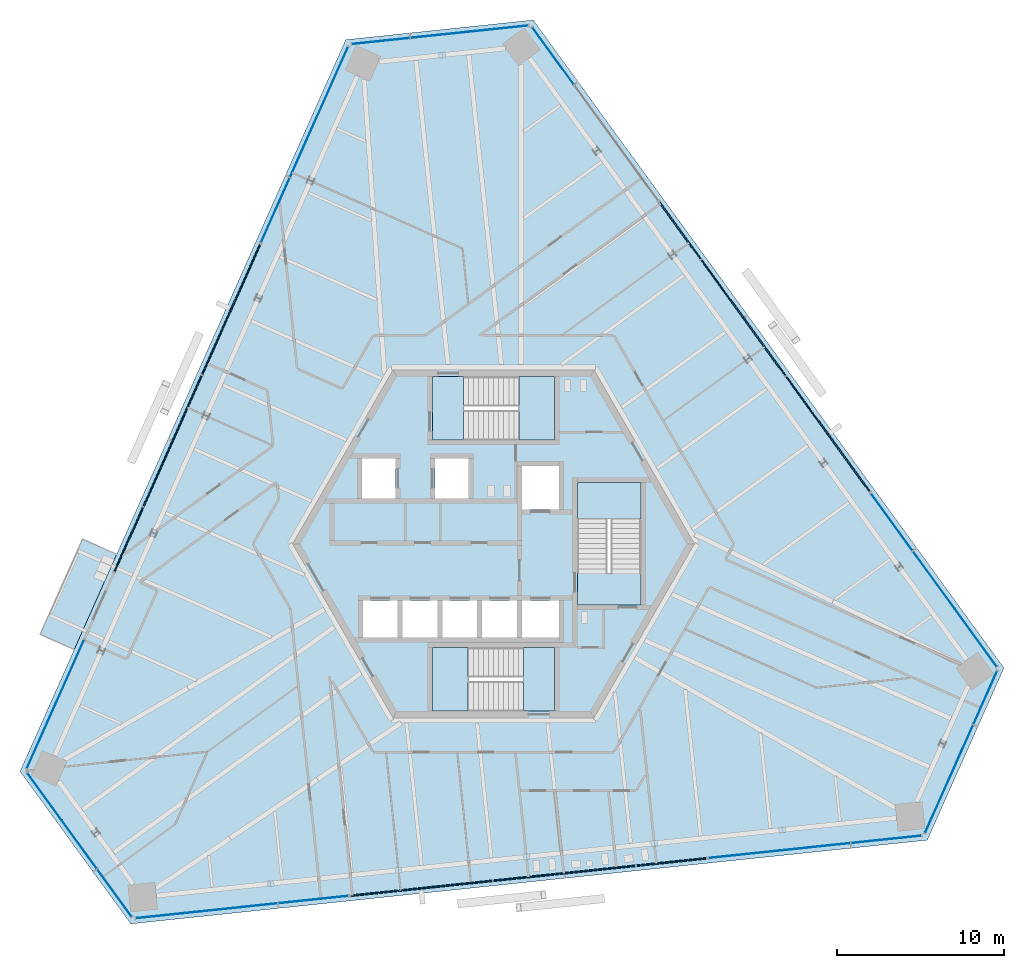
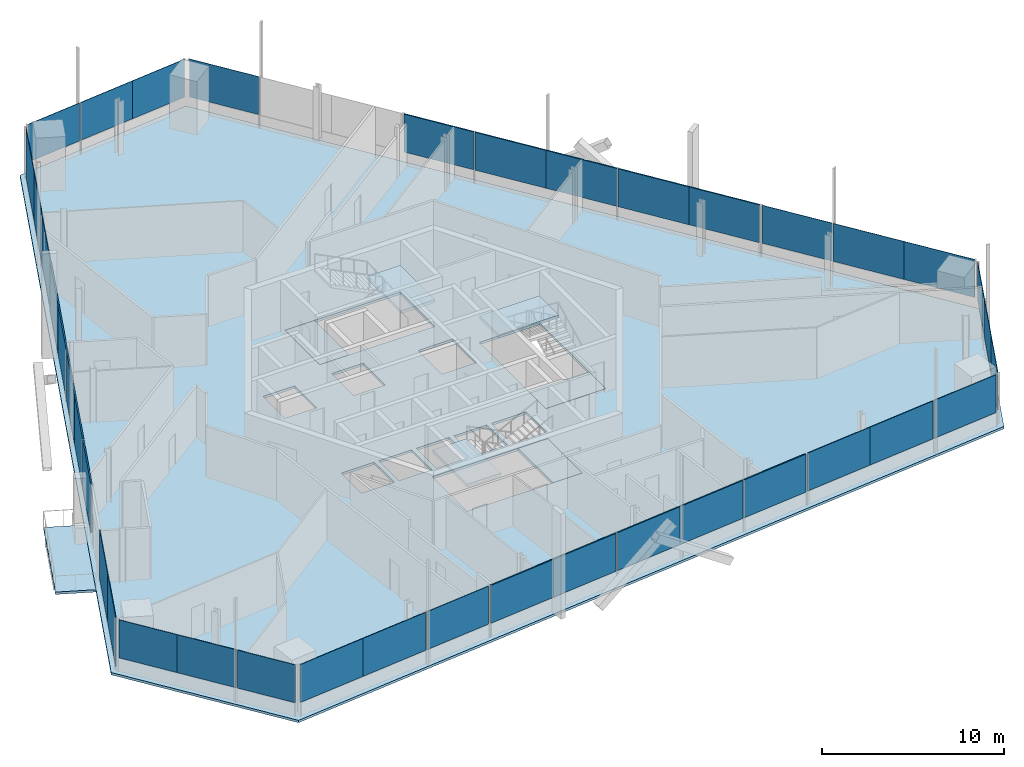
# One storey, part 9 of 20: 39 plates, 8 slabs, 15 elements without a shape of their own.
"""IFC4 building model written with IfcOpenShell, lengths in metres."""

from ifc_helpers import new_model, si_unit, direction, frame, origin, origin_2d, place, context, subcontext, project, spatial, polyline, rectangle, outline, extrude, source, transform, mapped, material, layer, layer_set, type_object, element, aggregate, save


model = new_model("IFC4")

# Units and contexts
model_context = context("Model", 3, precision=1e-05, world=origin(), true_north=direction((0.0, 1.0)))
body_context = subcontext(model_context, "Body", "Model", "MODEL_VIEW")
ifc_project = project(units=[si_unit("LENGTHUNIT", "METRE"), si_unit("AREAUNIT", "SQUARE_METRE"), si_unit("VOLUMEUNIT", "CUBIC_METRE"), si_unit("PLANEANGLEUNIT", "RADIAN"), si_unit("MASSUNIT", "GRAM", prefix="KILO")], contexts=[model_context])

# Site, building, storey
site_placement = place(None, origin())
site = spatial("IfcSite", under=ifc_project, at=site_placement, CompositionType="ELEMENT")
building_placement = place(site_placement, origin())
building = spatial("IfcBuilding", under=site, at=building_placement, Name="Triune Harvest Tower", CompositionType="ELEMENT")
storey_placement = place(building_placement, frame((0.0, 0.0, 234.10009765625)))
storey = spatial("IfcBuildingStorey", under=building, at=storey_placement, Name="L61", CompositionType="ELEMENT", Elevation=234.10009765625)

# Slab
ifc_material_1 = material(Name="Concrete 40 MPa", Category="concrete")
ifc_layer_1 = layer(ifc_material_1, 0.159912109375)
ifc_layer_set_1 = layer_set([ifc_layer_1], Name="Concrete 40 MPa")
slab_type_1 = type_object("IfcSlabType", Name="BA-1 balcony slab 160", PredefinedType="FLOOR", material=ifc_layer_set_1)
slab_1_placement = place(storey_placement, frame((0.0, 0.0, -0.16015625)))
element("IfcSlab", 1, at=slab_1_placement, inside=storey, type_object=slab_type_1, Name="Balcony slab B6-F3 L61.9", PredefinedType="FLOOR", context=body_context, shape_type="SweptSolid", body=[
    extrude(outline(polyline([(-22.50244140625, -0.623291015625), (-25.035400390625, -6.31201171875), (-27.07666015625, -5.4033203125), (-24.543701171875, 0.28564453125), (-22.50244140625, -0.623291015625)])), origin(), (0.0, 0.0, 1.0), 0.16015625),
])

# Curtain wall, plates
ifc_material_2 = material(Name="Aluminium bronze anodised", Category="aluminium")
curtain_wall_type_1 = type_object("IfcCurtainWallType", Name="CW-6 Balcony window wall", PredefinedType="NOTDEFINED", material=ifc_material_2)
curtain_wall_1_placement = place(storey_placement, origin())
curtain_wall_1 = element("IfcCurtainWall", 2, at=curtain_wall_1_placement, inside=storey, type_object=curtain_wall_type_1, Name="CW-6 B6-F3 L61 run 1")
ifc_material_3 = material(Name="Glass", Category="glass")
ifc_layer_2 = layer(ifc_material_3, 0.030029296875)
ifc_layer_set_2 = layer_set([ifc_layer_2], Name="Glass")
plate_type_1 = type_object("IfcPlateType", Name="GL-6 panel 30", PredefinedType="CURTAIN_PANEL", material=ifc_layer_set_2)
plate_1_placement = place(storey_placement, frame((-9.54541015625, 27.740966796875, 0.14990234375), z_axis=(0.0, 0.0, 1.0), x_axis=(-0.406739089053, -0.913544368619, 0.0)))
plate_1 = element("IfcPlate", 3, at=plate_1_placement, type_object=plate_type_1, Name="CW-6 panel B6-F3 1.1", PredefinedType="CURTAIN_PANEL", context=body_context, shape_type="SweptSolid", body=[
    extrude(rectangle(XDim=4.230224609375, YDim=0.030029296875, at=origin_2d()), origin(), (0.0, 0.0, 1.0), 3.2900390625),
])
plate_2_placement = place(storey_placement, frame((-11.273681640625, 23.859375, 0.14990234375), z_axis=(0.0, 0.0, 1.0), x_axis=(-0.406739089053, -0.913544368619, 0.0)))
plate_2 = element("IfcPlate", 4, at=plate_2_placement, type_object=plate_type_1, Name="CW-6 panel B6-F3 1.2", PredefinedType="CURTAIN_PANEL", context=body_context, shape_type="SweptSolid", body=[
    extrude(rectangle(XDim=4.267578125, YDim=0.030029296875, at=origin_2d()), origin(), (0.0, 0.0, 1.0), 3.2900390625),
])
plate_3_placement = place(storey_placement, frame((-13.024658203125, 19.926513671875, 0.14990234375), z_axis=(0.0, 0.0, 1.0), x_axis=(-0.406739089053, -0.913544368619, 0.0)))
plate_3 = element("IfcPlate", 5, at=plate_3_placement, type_object=plate_type_1, Name="CW-6 panel B6-F3 1.3", PredefinedType="CURTAIN_PANEL", context=body_context, shape_type="SweptSolid", body=[
    extrude(rectangle(XDim=4.192626953125, YDim=0.030029296875, at=origin_2d()), origin(), (0.0, 0.0, 1.0), 3.2900390625),
])
aggregate(curtain_wall_1, [plate_1, plate_2, plate_3])

# Curtain wall, plate
ifc_material_4 = material(Name="Aluminium bronze anodised", Category="aluminium")
curtain_wall_type_2 = type_object("IfcCurtainWallType", Name="CW-10 Balcony window wall with insulated spandrel infill", PredefinedType="NOTDEFINED", material=ifc_material_4)
curtain_wall_2_placement = place(storey_placement, origin())
curtain_wall_2 = element("IfcCurtainWall", 6, at=curtain_wall_2_placement, inside=storey, type_object=curtain_wall_type_2, Name="CW-10 B6-F3 L61 run 1001")
ifc_material_5 = material(Name="Insulated spandrel panel, bronze aluminium pan", Category="aluminium")
ifc_layer_3 = layer(ifc_material_5, 0.080078125)
ifc_layer_set_3 = layer_set([ifc_layer_3], Name="Insulated spandrel panel, bronze aluminium pan")
plate_type_2 = type_object("IfcPlateType", Name="SP-1 insulated spandrel panel 80", PredefinedType="CURTAIN_PANEL", material=ifc_layer_set_3)
plate_4_placement = place(storey_placement, frame((-21.780029296875, 0.26171875, 0.14990234375), z_axis=(0.0, 0.0, 1.0), x_axis=(-0.406737206167, -0.913545206938, 0.0)))
plate_4 = element("IfcPlate", 7, at=plate_4_placement, type_object=plate_type_2, Name="CW-10 panel B6-F3 1001.5", PredefinedType="CURTAIN_PANEL", context=body_context, shape_type="SweptSolid", body=[
    extrude(rectangle(XDim=4.192626953125, YDim=0.080078125, at=origin_2d()), origin(), (0.0, 0.0, 1.0), 3.2900390625),
])

# Slab
ifc_material_6 = material(Name="Concrete 40 MPa", Category="concrete")
ifc_layer_4 = layer(ifc_material_6, 0.159912109375)
ifc_layer_set_4 = layer_set([ifc_layer_4], Name="Concrete 40 MPa")
slab_type_2 = type_object("IfcSlabType", Name="SL-1 Composite floor slab 160", PredefinedType="FLOOR", material=ifc_layer_set_4)
shared_shape_1 = source(origin(), body_context, "Body", "SweptSolid", [
    extrude(outline(polyline([(30.481689453125, -7.412109375), (2.3701171875, 31.280517578125), (-8.82177734375, 30.10400390625), (-28.274658203125, -13.587646484375), (-21.659912109375, -22.69189453125), (25.904541015625, -17.692626953125), (30.481689453125, -7.412109375)]), holes=[polyline([(-5.72509765625, -5.590087890625), (-5.72509765625, -3.389892578125), (-7.800048828125, -3.389892578125), (-7.800048828125, -5.590087890625), (-5.72509765625, -5.590087890625)]), polyline([(-3.35009765625, -5.590087890625), (-3.35009765625, -3.389892578125), (-5.425048828125, -3.389892578125), (-5.425048828125, -5.590087890625), (-3.35009765625, -5.590087890625)]), polyline([(-0.97509765625, -5.590087890625), (-0.97509765625, -3.389892578125), (-3.050048828125, -3.389892578125), (-3.050048828125, -5.590087890625), (-0.97509765625, -5.590087890625)]), polyline([(1.39990234375, -5.590087890625), (1.39990234375, -3.389892578125), (-0.675048828125, -3.389892578125), (-0.675048828125, -5.590087890625), (1.39990234375, -5.590087890625)]), polyline([(3.89990234375, 2.06005859375), (3.89990234375, 4.659912109375), (1.699951171875, 4.659912109375), (1.699951171875, 2.06005859375), (3.89990234375, 2.06005859375)]), polyline([(3.89990234375, -5.590087890625), (3.89990234375, -3.389892578125), (1.699951171875, -3.389892578125), (1.699951171875, -5.590087890625), (3.89990234375, -5.590087890625)]), polyline([(-5.85009765625, 2.7099609375), (-5.85009765625, 5.110107421875), (-7.85009765625, 5.110107421875), (-7.85009765625, 2.7099609375), (-5.85009765625, 2.7099609375)]), polyline([(-1.5, 2.7099609375), (-1.5, 5.110107421875), (-3.5, 5.110107421875), (-3.5, 2.7099609375), (-1.5, 2.7099609375)]), polyline([(3.64990234375, 6.18994140625), (3.64990234375, 9.989990234375), (-3.64990234375, 9.989990234375), (-3.64990234375, 6.18994140625), (3.64990234375, 6.18994140625)]), polyline([(3.64990234375, -9.989990234375), (3.64990234375, -6.18994140625), (-3.64990234375, -6.18994140625), (-3.64990234375, -9.989990234375), (3.64990234375, -9.989990234375)]), polyline([(8.800048828125, -3.64990234375), (8.800048828125, 3.64990234375), (5.0, 3.64990234375), (5.0, -3.64990234375), (8.800048828125, -3.64990234375)])]), origin(), (0.0, 0.0, 1.0), 0.16015625),
])
slab_2_placement = place(storey_placement, frame((0.0, 0.0, -0.16015625)))
element("IfcSlab", 8, at=slab_2_placement, inside=storey, type_object=slab_type_2, Name="slab/L61/1", PredefinedType="FLOOR", context=body_context, shape_type="MappedRepresentation", body=[
    mapped(shared_shape_1, transform((0.0, 0.0, 0.0), scale=1.0)),
])

# Stair, slabs
ifc_material_7 = material(Name="Concrete 40 MPa", Category="concrete")
stair_type = type_object("IfcStairType", Name="Exit stair 1800 half turn", PredefinedType="HALF_TURN_STAIR", material=ifc_material_7)
stair_1_placement = place(storey_placement, origin())
stair_1 = element("IfcStair", 9, at=stair_1_placement, inside=storey, type_object=stair_type, Name="Exit stair north", PredefinedType="HALF_TURN_STAIR")
ifc_material_8 = material(Name="Concrete 40 MPa", Category="concrete")
ifc_layer_5 = layer(ifc_material_8, 0.199951171875)
ifc_layer_set_5 = layer_set([ifc_layer_5], Name="Concrete 40 MPa")
slab_type_3 = type_object("IfcSlabType", Name="Stair landing 200", PredefinedType="LANDING", material=ifc_layer_set_5)
shared_shape_2 = source(origin(), body_context, "Body", "SweptSolid", [
    extrude(outline(polyline([(1.510009765625, 6.18994140625), (3.64990234375, 6.18994140625), (3.64990234375, 9.989990234375), (1.510009765625, 9.989990234375), (1.510009765625, 6.18994140625)])), origin(), (0.0, 0.0, 1.0), 0.199951171875),
])
slab_3_placement = place(storey_placement, frame((0.0, 0.0, 1.599853515625)))
slab_3 = element("IfcSlab", 10, at=slab_3_placement, type_object=slab_type_3, Name="ST-1 landing 2", PredefinedType="LANDING", context=body_context, shape_type="MappedRepresentation", body=[
    mapped(shared_shape_2, transform((0.0, 0.0, 0.0), scale=1.0)),
])
shared_shape_3 = source(origin(), body_context, "Body", "SweptSolid", [
    extrude(outline(polyline([(-3.64990234375, 6.18994140625), (-1.780029296875, 6.18994140625), (-1.780029296875, 9.989990234375), (-3.64990234375, 9.989990234375), (-3.64990234375, 6.18994140625)])), origin(), (0.0, 0.0, 1.0), 0.2001953125),
])
slab_4_placement = place(storey_placement, frame((0.0, 0.0, -0.2001953125)))
slab_4 = element("IfcSlab", 11, at=slab_4_placement, type_object=slab_type_3, Name="ST-1 landing 1", PredefinedType="LANDING", context=body_context, shape_type="MappedRepresentation", body=[
    mapped(shared_shape_3, transform((0.0, 0.0, 0.0), scale=1.0)),
])
aggregate(stair_1, [slab_4, slab_3])

stair_2_placement = place(storey_placement, origin())
stair_2 = element("IfcStair", 12, at=stair_2_placement, inside=storey, type_object=stair_type, Name="Exit stair south", PredefinedType="HALF_TURN_STAIR")
shared_shape_4 = source(origin(), body_context, "Body", "SweptSolid", [
    extrude(outline(polyline([(-1.510009765625, -6.18994140625), (-3.64990234375, -6.18994140625), (-3.64990234375, -9.989990234375), (-1.510009765625, -9.989990234375), (-1.510009765625, -6.18994140625)])), origin(), (0.0, 0.0, 1.0), 0.199951171875),
])
slab_5_placement = place(storey_placement, frame((0.0, 0.0, 1.599853515625)))
slab_5 = element("IfcSlab", 13, at=slab_5_placement, type_object=slab_type_3, Name="ST-2 landing 2", PredefinedType="LANDING", context=body_context, shape_type="MappedRepresentation", body=[
    mapped(shared_shape_4, transform((0.0, 0.0, 0.0), scale=1.0)),
])
shared_shape_5 = source(origin(), body_context, "Body", "SweptSolid", [
    extrude(outline(polyline([(3.64990234375, -6.18994140625), (1.780029296875, -6.18994140625), (1.780029296875, -9.989990234375), (3.64990234375, -9.989990234375), (3.64990234375, -6.18994140625)])), origin(), (0.0, 0.0, 1.0), 0.2001953125),
])
slab_6_placement = place(storey_placement, frame((0.0, 0.0, -0.2001953125)))
slab_6 = element("IfcSlab", 14, at=slab_6_placement, type_object=slab_type_3, Name="ST-2 landing 1", PredefinedType="LANDING", context=body_context, shape_type="MappedRepresentation", body=[
    mapped(shared_shape_5, transform((0.0, 0.0, 0.0), scale=1.0)),
])
aggregate(stair_2, [slab_6, slab_5])

stair_3_placement = place(storey_placement, origin())
stair_3 = element("IfcStair", 15, at=stair_3_placement, inside=storey, type_object=stair_type, Name="Exit stair east", PredefinedType="HALF_TURN_STAIR")
shared_shape_6 = source(origin(), body_context, "Body", "SweptSolid", [
    extrude(outline(polyline([(8.800048828125, 1.510009765625), (8.800048828125, 3.64990234375), (5.0, 3.64990234375), (5.0, 1.510009765625), (8.800048828125, 1.510009765625)])), origin(), (0.0, 0.0, 1.0), 0.199951171875),
])
slab_7_placement = place(storey_placement, frame((0.0, 0.0, 1.599853515625)))
slab_7 = element("IfcSlab", 16, at=slab_7_placement, type_object=slab_type_3, Name="ST-3 landing 2", PredefinedType="LANDING", context=body_context, shape_type="MappedRepresentation", body=[
    mapped(shared_shape_6, transform((0.0, 0.0, 0.0), scale=1.0)),
])
shared_shape_7 = source(origin(), body_context, "Body", "SweptSolid", [
    extrude(outline(polyline([(8.800048828125, -3.64990234375), (8.800048828125, -1.780029296875), (5.0, -1.780029296875), (5.0, -3.64990234375), (8.800048828125, -3.64990234375)])), origin(), (0.0, 0.0, 1.0), 0.2001953125),
])
slab_8_placement = place(storey_placement, frame((0.0, 0.0, -0.2001953125)))
slab_8 = element("IfcSlab", 17, at=slab_8_placement, type_object=slab_type_3, Name="ST-3 landing 1", PredefinedType="LANDING", context=body_context, shape_type="MappedRepresentation", body=[
    mapped(shared_shape_7, transform((0.0, 0.0, 0.0), scale=1.0)),
])
aggregate(stair_3, [slab_8, slab_7])

# Curtain wall, plate
ifc_material_9 = material(Name="Aluminium bronze anodised", Category="aluminium")
curtain_wall_type_3 = type_object("IfcCurtainWallType", Name="CW-1 Tower stick curtain wall", PredefinedType="NOTDEFINED", material=ifc_material_9)
curtain_wall_3_placement = place(storey_placement, origin())
curtain_wall_3 = element("IfcCurtainWall", 18, at=curtain_wall_3_placement, inside=storey, type_object=curtain_wall_type_3, Name="CW-1 B6-F2 L61 run 1")
ifc_material_10 = material(Name="Glass", Category="glass")
ifc_layer_6 = layer(ifc_material_10, 0.031982421875)
ifc_layer_set_6 = layer_set([ifc_layer_6], Name="Glass")
plate_type_3 = type_object("IfcPlateType", Name="GL-1 panel 32", PredefinedType="CURTAIN_PANEL", material=ifc_layer_set_6)
shared_shape_8 = source(origin(), body_context, "Body", "SweptSolid", [
    extrude(rectangle(XDim=3.500732421875, YDim=0.031982421875, at=origin_2d()), origin(), (0.0, 0.0, 1.0), 2.5400390625),
])
plate_5_placement = place(storey_placement, frame((0.32421875, 30.763671875, 0.89990234375), z_axis=(0.0, 0.0, 1.0), x_axis=(-0.994521768229, -0.104529672907, 0.0)))
plate_5 = element("IfcPlate", 19, at=plate_5_placement, type_object=plate_type_3, Name="CW-1 panel B6-F2 1.1", PredefinedType="CURTAIN_PANEL", context=body_context, shape_type="MappedRepresentation", body=[
    mapped(shared_shape_8, transform((0.0, 0.0, 0.0), scale=1.0)),
])

curtain_wall_4_placement = place(storey_placement, origin())
curtain_wall_4 = element("IfcCurtainWall", 20, at=curtain_wall_4_placement, inside=storey, type_object=curtain_wall_type_3, Name="CW-1 B6-F4 L61 run 1")
plate_6_placement = place(storey_placement, frame((-26.80419921875, -15.10107421875, 0.89990234375), z_axis=(0.0, 0.0, 1.0), x_axis=(0.587788936013, -0.809014317982, 0.0)))
plate_6 = element("IfcPlate", 21, at=plate_6_placement, type_object=plate_type_3, Name="CW-1 panel B6-F4 1.1", PredefinedType="CURTAIN_PANEL", context=body_context, shape_type="MappedRepresentation", body=[
    mapped(shared_shape_8, transform((0.0, 0.0, 0.0), scale=1.0)),
])

curtain_wall_5_placement = place(storey_placement, origin())
curtain_wall_5 = element("IfcCurtainWall", 22, at=curtain_wall_5_placement, inside=storey, type_object=curtain_wall_type_3, Name="CW-1 B6-F6 L61 run 1")
plate_7_placement = place(storey_placement, frame((26.47998046875, -15.66259765625, 0.89990234375), z_axis=(0.0, 0.0, 1.0), x_axis=(0.406743216086, 0.913542531121, 0.0)))
plate_7 = element("IfcPlate", 23, at=plate_7_placement, type_object=plate_type_3, Name="CW-1 panel B6-F6 1.1", PredefinedType="CURTAIN_PANEL", context=body_context, shape_type="MappedRepresentation", body=[
    mapped(shared_shape_8, transform((0.0, 0.0, 0.0), scale=1.0)),
])

# Plate
shared_shape_9 = source(origin(), body_context, "Body", "SweptSolid", [
    extrude(rectangle(XDim=3.5380859375, YDim=0.031982421875, at=origin_2d()), origin(), (0.0, 0.0, 1.0), 2.5400390625),
])
plate_8_placement = place(storey_placement, frame((-3.17578125, 30.395751953125, 0.89990234375), z_axis=(0.0, 0.0, 1.0), x_axis=(-0.994521768229, -0.104529672907, 0.0)))
plate_8 = element("IfcPlate", 24, at=plate_8_placement, type_object=plate_type_3, Name="CW-1 panel B6-F2 1.2", PredefinedType="CURTAIN_PANEL", context=body_context, shape_type="MappedRepresentation", body=[
    mapped(shared_shape_9, transform((0.0, 0.0, 0.0), scale=1.0)),
])

plate_9_placement = place(storey_placement, frame((-24.735595703125, -17.9482421875, 0.89990234375), z_axis=(0.0, 0.0, 1.0), x_axis=(0.587788936013, -0.809014317982, 0.0)))
plate_9 = element("IfcPlate", 25, at=plate_9_placement, type_object=plate_type_3, Name="CW-1 panel B6-F4 1.2", PredefinedType="CURTAIN_PANEL", context=body_context, shape_type="MappedRepresentation", body=[
    mapped(shared_shape_9, transform((0.0, 0.0, 0.0), scale=1.0)),
])

plate_10_placement = place(storey_placement, frame((27.91162109375, -12.447509765625, 0.89990234375), z_axis=(0.0, 0.0, 1.0), x_axis=(0.406743216086, 0.913542531121, 0.0)))
plate_10 = element("IfcPlate", 26, at=plate_10_placement, type_object=plate_type_3, Name="CW-1 panel B6-F6 1.2", PredefinedType="CURTAIN_PANEL", context=body_context, shape_type="MappedRepresentation", body=[
    mapped(shared_shape_9, transform((0.0, 0.0, 0.0), scale=1.0)),
])

shared_shape_10 = source(origin(), body_context, "Body", "SweptSolid", [
    extrude(rectangle(XDim=3.463134765625, YDim=0.031982421875, at=origin_2d()), origin(), (0.0, 0.0, 1.0), 2.5400390625),
])
plate_11_placement = place(storey_placement, frame((-6.73193359375, 30.02197265625, 0.89990234375), z_axis=(0.0, 0.0, 1.0), x_axis=(-0.994521768229, -0.104529672907, 0.0)))
plate_11 = element("IfcPlate", 27, at=plate_11_placement, type_object=plate_type_3, Name="CW-1 panel B6-F2 1.3", PredefinedType="CURTAIN_PANEL", context=body_context, shape_type="MappedRepresentation", body=[
    mapped(shared_shape_10, transform((0.0, 0.0, 0.0), scale=1.0)),
])

aggregate(curtain_wall_3, [plate_5, plate_8, plate_11])

plate_12_placement = place(storey_placement, frame((-22.6337890625, -20.841064453125, 0.89990234375), z_axis=(0.0, 0.0, 1.0), x_axis=(0.587788936013, -0.809014317982, 0.0)))
plate_12 = element("IfcPlate", 28, at=plate_12_placement, type_object=plate_type_3, Name="CW-1 panel B6-F4 1.3", PredefinedType="CURTAIN_PANEL", context=body_context, shape_type="MappedRepresentation", body=[
    mapped(shared_shape_10, transform((0.0, 0.0, 0.0), scale=1.0)),
])

aggregate(curtain_wall_4, [plate_6, plate_9, plate_12])

plate_13_placement = place(storey_placement, frame((29.365966796875, -9.180908203125, 0.89990234375), z_axis=(0.0, 0.0, 1.0), x_axis=(0.406743216086, 0.913542531121, 0.0)))
plate_13 = element("IfcPlate", 29, at=plate_13_placement, type_object=plate_type_3, Name="CW-1 panel B6-F6 1.3", PredefinedType="CURTAIN_PANEL", context=body_context, shape_type="MappedRepresentation", body=[
    mapped(shared_shape_10, transform((0.0, 0.0, 0.0), scale=1.0)),
])

aggregate(curtain_wall_5, [plate_7, plate_10, plate_13])

# Curtain wall, plate
ifc_material_11 = material(Name="Aluminium bronze anodised", Category="aluminium")
curtain_wall_type_4 = type_object("IfcCurtainWallType", Name="CW-7 Tower stick curtain wall with insulated spandrel infill", PredefinedType="NOTDEFINED", material=ifc_material_11)
curtain_wall_6_placement = place(storey_placement, origin())
curtain_wall_6 = element("IfcCurtainWall", 30, at=curtain_wall_6_placement, inside=storey, type_object=curtain_wall_type_4, Name="CW-7 B6-F1 L61 run 1001")
shared_shape_11 = source(origin(), body_context, "Body", "SweptSolid", [
    extrude(rectangle(XDim=4.22509765625, YDim=0.080078125, at=origin_2d()), origin(), (0.0, 0.0, 1.0), 2.5400390625),
])
plate_14_placement = place(storey_placement, frame((21.216064453125, 4.83056640625, 0.89990234375), z_axis=(0.0, 0.0, 1.0), x_axis=(-0.587785006378, 0.809017173042, 0.0)))
plate_14 = element("IfcPlate", 31, at=plate_14_placement, type_object=plate_type_2, Name="CW-7 panel B6-F1 1001.1", PredefinedType="CURTAIN_PANEL", context=body_context, shape_type="MappedRepresentation", body=[
    mapped(shared_shape_11, transform((0.0, 0.0, 0.0), scale=1.0)),
])

curtain_wall_7_placement = place(storey_placement, origin())
curtain_wall_7 = element("IfcCurtainWall", 32, at=curtain_wall_7_placement, inside=storey, type_object=curtain_wall_type_4, Name="CW-7 B6-F5 L61 run 1001")
plate_15_placement = place(storey_placement, frame((-6.424560546875, -20.788818359375, 0.89990234375), z_axis=(0.0, 0.0, 1.0), x_axis=(0.994521268184, 0.104534430351, 0.0)))
plate_15 = element("IfcPlate", 33, at=plate_15_placement, type_object=plate_type_2, Name="CW-7 panel B6-F5 1001.1", PredefinedType="CURTAIN_PANEL", context=body_context, shape_type="MappedRepresentation", body=[
    mapped(shared_shape_11, transform((0.0, 0.0, 0.0), scale=1.0)),
])

# Plate
shared_shape_12 = source(origin(), body_context, "Body", "SweptSolid", [
    extrude(rectangle(XDim=4.262451171875, YDim=0.080078125, at=origin_2d()), origin(), (0.0, 0.0, 1.0), 2.5400390625),
])
plate_16_placement = place(storey_placement, frame((18.7216796875, 8.263916015625, 0.89990234375), z_axis=(0.0, 0.0, 1.0), x_axis=(-0.587785006378, 0.809017173042, 0.0)))
plate_16 = element("IfcPlate", 34, at=plate_16_placement, type_object=plate_type_2, Name="CW-7 panel B6-F1 1001.2", PredefinedType="CURTAIN_PANEL", context=body_context, shape_type="MappedRepresentation", body=[
    mapped(shared_shape_12, transform((0.0, 0.0, 0.0), scale=1.0)),
])

plate_17_placement = place(storey_placement, frame((16.172119140625, 11.77294921875, 0.89990234375), z_axis=(0.0, 0.0, 1.0), x_axis=(-0.587785006378, 0.809017173042, 0.0)))
plate_17 = element("IfcPlate", 35, at=plate_17_placement, type_object=plate_type_2, Name="CW-7 panel B6-F1 1001.3", PredefinedType="CURTAIN_PANEL", context=body_context, shape_type="MappedRepresentation", body=[
    mapped(shared_shape_12, transform((0.0, 0.0, 0.0), scale=1.0)),
])

plate_18_placement = place(storey_placement, frame((13.666748046875, 15.221435546875, 0.89990234375), z_axis=(0.0, 0.0, 1.0), x_axis=(-0.587785006378, 0.809017173042, 0.0)))
plate_18 = element("IfcPlate", 36, at=plate_18_placement, type_object=plate_type_2, Name="CW-7 panel B6-F1 1001.4", PredefinedType="CURTAIN_PANEL", context=body_context, shape_type="MappedRepresentation", body=[
    mapped(shared_shape_12, transform((0.0, 0.0, 0.0), scale=1.0)),
])

plate_19_placement = place(storey_placement, frame((-2.2041015625, -20.34521484375, 0.89990234375), z_axis=(0.0, 0.0, 1.0), x_axis=(0.994521268184, 0.104534430351, 0.0)))
plate_19 = element("IfcPlate", 37, at=plate_19_placement, type_object=plate_type_2, Name="CW-7 panel B6-F5 1001.2", PredefinedType="CURTAIN_PANEL", context=body_context, shape_type="MappedRepresentation", body=[
    mapped(shared_shape_12, transform((0.0, 0.0, 0.0), scale=1.0)),
])

plate_20_placement = place(storey_placement, frame((2.109619140625, -19.891845703125, 0.89990234375), z_axis=(0.0, 0.0, 1.0), x_axis=(0.994521268184, 0.104534430351, 0.0)))
plate_20 = element("IfcPlate", 38, at=plate_20_placement, type_object=plate_type_2, Name="CW-7 panel B6-F5 1001.3", PredefinedType="CURTAIN_PANEL", context=body_context, shape_type="MappedRepresentation", body=[
    mapped(shared_shape_12, transform((0.0, 0.0, 0.0), scale=1.0)),
])

plate_21_placement = place(storey_placement, frame((6.348876953125, -19.4462890625, 0.89990234375), z_axis=(0.0, 0.0, 1.0), x_axis=(0.994521268184, 0.104534430351, 0.0)))
plate_21 = element("IfcPlate", 39, at=plate_21_placement, type_object=plate_type_2, Name="CW-7 panel B6-F5 1001.4", PredefinedType="CURTAIN_PANEL", context=body_context, shape_type="MappedRepresentation", body=[
    mapped(shared_shape_12, transform((0.0, 0.0, 0.0), scale=1.0)),
])

# Curtain wall, plate
curtain_wall_8_placement = place(storey_placement, origin())
curtain_wall_8 = element("IfcCurtainWall", 40, at=curtain_wall_8_placement, inside=storey, type_object=curtain_wall_type_3, Name="CW-1 B6-F1 L61 run 1")
shared_shape_13 = source(origin(), body_context, "Body", "SweptSolid", [
    extrude(rectangle(XDim=4.22509765625, YDim=0.031982421875, at=origin_2d()), origin(), (0.0, 0.0, 1.0), 2.5400390625),
])
plate_22_placement = place(storey_placement, frame((28.798583984375, -5.60595703125, 0.89990234375), z_axis=(0.0, 0.0, 1.0), x_axis=(-0.587786226785, 0.809016286364, 0.0)))
plate_22 = element("IfcPlate", 41, at=plate_22_placement, type_object=plate_type_3, Name="CW-1 panel B6-F1 1.1", PredefinedType="CURTAIN_PANEL", context=body_context, shape_type="MappedRepresentation", body=[
    mapped(shared_shape_13, transform((0.0, 0.0, 0.0), scale=1.0)),
])

curtain_wall_9_placement = place(storey_placement, origin())
curtain_wall_9 = element("IfcCurtainWall", 42, at=curtain_wall_9_placement, inside=storey, type_object=curtain_wall_type_3, Name="CW-1 B6-F5 L61 run 1")
plate_23_placement = place(storey_placement, frame((-19.254150390625, -22.137451171875, 0.89990234375), z_axis=(0.0, 0.0, 1.0), x_axis=(0.994522147059, 0.104526068567, 0.0)))
plate_23 = element("IfcPlate", 43, at=plate_23_placement, type_object=plate_type_3, Name="CW-1 panel B6-F5 1.1", PredefinedType="CURTAIN_PANEL", context=body_context, shape_type="MappedRepresentation", body=[
    mapped(shared_shape_13, transform((0.0, 0.0, 0.0), scale=1.0)),
])

curtain_wall_10_placement = place(storey_placement, origin())
curtain_wall_10 = element("IfcCurtainWall", 44, at=curtain_wall_10_placement, inside=storey, type_object=curtain_wall_type_3, Name="CW-1 B6-F5 L61 run 2001")
plate_24_placement = place(storey_placement, frame((14.95751953125, -18.54150390625, 0.89990234375), z_axis=(0.0, 0.0, 1.0), x_axis=(0.994522147059, 0.104526068567, 0.0)))
plate_24 = element("IfcPlate", 45, at=plate_24_placement, type_object=plate_type_3, Name="CW-1 panel B6-F5 2001.1", PredefinedType="CURTAIN_PANEL", context=body_context, shape_type="MappedRepresentation", body=[
    mapped(shared_shape_13, transform((0.0, 0.0, 0.0), scale=1.0)),
])

# Plate
shared_shape_14 = source(origin(), body_context, "Body", "SweptSolid", [
    extrude(rectangle(XDim=4.262451171875, YDim=0.031982421875, at=origin_2d()), origin(), (0.0, 0.0, 1.0), 2.5400390625),
])
plate_25_placement = place(storey_placement, frame((26.30419921875, -2.172607421875, 0.89990234375), z_axis=(0.0, 0.0, 1.0), x_axis=(-0.587786226785, 0.809016286364, 0.0)))
plate_25 = element("IfcPlate", 46, at=plate_25_placement, type_object=plate_type_3, Name="CW-1 panel B6-F1 1.2", PredefinedType="CURTAIN_PANEL", context=body_context, shape_type="MappedRepresentation", body=[
    mapped(shared_shape_14, transform((0.0, 0.0, 0.0), scale=1.0)),
])

plate_26_placement = place(storey_placement, frame((-15.033447265625, -21.69384765625, 0.89990234375), z_axis=(0.0, 0.0, 1.0), x_axis=(0.994522147059, 0.104526068567, 0.0)))
plate_26 = element("IfcPlate", 47, at=plate_26_placement, type_object=plate_type_3, Name="CW-1 panel B6-F5 1.2", PredefinedType="CURTAIN_PANEL", context=body_context, shape_type="MappedRepresentation", body=[
    mapped(shared_shape_14, transform((0.0, 0.0, 0.0), scale=1.0)),
])

plate_27_placement = place(storey_placement, frame((19.17822265625, -18.097900390625, 0.89990234375), z_axis=(0.0, 0.0, 1.0), x_axis=(0.994522147059, 0.104526068567, 0.0)))
plate_27 = element("IfcPlate", 48, at=plate_27_placement, type_object=plate_type_3, Name="CW-1 panel B6-F5 2001.2", PredefinedType="CURTAIN_PANEL", context=body_context, shape_type="MappedRepresentation", body=[
    mapped(shared_shape_14, transform((0.0, 0.0, 0.0), scale=1.0)),
])

shared_shape_15 = source(origin(), body_context, "Body", "SweptSolid", [
    extrude(rectangle(XDim=4.1875, YDim=0.031982421875, at=origin_2d()), origin(), (0.0, 0.0, 1.0), 2.5400390625),
])
plate_28_placement = place(storey_placement, frame((23.776611328125, 1.30615234375, 0.89990234375), z_axis=(0.0, 0.0, 1.0), x_axis=(-0.587786226785, 0.809016286364, 0.0)))
plate_28 = element("IfcPlate", 49, at=plate_28_placement, type_object=plate_type_3, Name="CW-1 panel B6-F1 1.3", PredefinedType="CURTAIN_PANEL", context=body_context, shape_type="MappedRepresentation", body=[
    mapped(shared_shape_15, transform((0.0, 0.0, 0.0), scale=1.0)),
])

aggregate(curtain_wall_8, [plate_22, plate_25, plate_28])

# Curtain wall, plate
curtain_wall_11_placement = place(storey_placement, origin())
curtain_wall_11 = element("IfcCurtainWall", 50, at=curtain_wall_11_placement, inside=storey, type_object=curtain_wall_type_3, Name="CW-1 B6-F1 L61 run 2001")
plate_29_placement = place(storey_placement, frame((3.556884765625, 29.136474609375, 0.89990234375), z_axis=(0.0, 0.0, 1.0), x_axis=(-0.587786226785, 0.809016286364, 0.0)))
plate_29 = element("IfcPlate", 51, at=plate_29_placement, type_object=plate_type_3, Name="CW-1 panel B6-F1 2001.3", PredefinedType="CURTAIN_PANEL", context=body_context, shape_type="MappedRepresentation", body=[
    mapped(shared_shape_15, transform((0.0, 0.0, 0.0), scale=1.0)),
])
aggregate(curtain_wall_11, [plate_29])

# Plate
plate_30_placement = place(storey_placement, frame((-10.757080078125, -21.244384765625, 0.89990234375), z_axis=(0.0, 0.0, 1.0), x_axis=(0.994522147059, 0.104526068567, 0.0)))
plate_30 = element("IfcPlate", 52, at=plate_30_placement, type_object=plate_type_3, Name="CW-1 panel B6-F5 1.3", PredefinedType="CURTAIN_PANEL", context=body_context, shape_type="MappedRepresentation", body=[
    mapped(shared_shape_15, transform((0.0, 0.0, 0.0), scale=1.0)),
])

aggregate(curtain_wall_9, [plate_23, plate_26, plate_30])

plate_31_placement = place(storey_placement, frame((23.45458984375, -17.6484375, 0.89990234375), z_axis=(0.0, 0.0, 1.0), x_axis=(0.994522147059, 0.104526068567, 0.0)))
plate_31 = element("IfcPlate", 53, at=plate_31_placement, type_object=plate_type_3, Name="CW-1 panel B6-F5 2001.3", PredefinedType="CURTAIN_PANEL", context=body_context, shape_type="MappedRepresentation", body=[
    mapped(shared_shape_15, transform((0.0, 0.0, 0.0), scale=1.0)),
])

aggregate(curtain_wall_10, [plate_24, plate_27, plate_31])

shared_shape_16 = source(origin(), body_context, "Body", "SweptSolid", [
    extrude(rectangle(XDim=4.1875, YDim=0.080078125, at=origin_2d()), origin(), (0.0, 0.0, 1.0), 2.5400390625),
])
plate_32_placement = place(storey_placement, frame((11.13916015625, 18.7001953125, 0.89990234375), z_axis=(0.0, 0.0, 1.0), x_axis=(-0.587785006378, 0.809017173042, 0.0)))
plate_32 = element("IfcPlate", 54, at=plate_32_placement, type_object=plate_type_2, Name="CW-7 panel B6-F1 1001.5", PredefinedType="CURTAIN_PANEL", context=body_context, shape_type="MappedRepresentation", body=[
    mapped(shared_shape_16, transform((0.0, 0.0, 0.0), scale=1.0)),
])

aggregate(curtain_wall_6, [plate_14, plate_16, plate_17, plate_18, plate_32])

plate_33_placement = place(storey_placement, frame((10.625244140625, -18.996826171875, 0.89990234375), z_axis=(0.0, 0.0, 1.0), x_axis=(0.994521268184, 0.104534430351, 0.0)))
plate_33 = element("IfcPlate", 55, at=plate_33_placement, type_object=plate_type_2, Name="CW-7 panel B6-F5 1001.5", PredefinedType="CURTAIN_PANEL", context=body_context, shape_type="MappedRepresentation", body=[
    mapped(shared_shape_16, transform((0.0, 0.0, 0.0), scale=1.0)),
])

aggregate(curtain_wall_7, [plate_15, plate_19, plate_20, plate_21, plate_33])

shared_shape_17 = source(origin(), body_context, "Body", "SweptSolid", [
    extrude(rectangle(XDim=4.230224609375, YDim=0.080078125, at=origin_2d()), origin(), (0.0, 0.0, 1.0), 3.2900390625),
])
plate_34_placement = place(storey_placement, frame((-14.798583984375, 15.942138671875, 0.14990234375), z_axis=(0.0, 0.0, 1.0), x_axis=(-0.406737206167, -0.913545206938, 0.0)))
plate_34 = element("IfcPlate", 56, at=plate_34_placement, type_object=plate_type_2, Name="CW-10 panel B6-F3 1001.1", PredefinedType="CURTAIN_PANEL", context=body_context, shape_type="MappedRepresentation", body=[
    mapped(shared_shape_17, transform((0.0, 0.0, 0.0), scale=1.0)),
])

shared_shape_18 = source(origin(), body_context, "Body", "SweptSolid", [
    extrude(rectangle(XDim=4.267578125, YDim=0.080078125, at=origin_2d()), origin(), (0.0, 0.0, 1.0), 3.2900390625),
])
plate_35_placement = place(storey_placement, frame((-16.52685546875, 12.060546875, 0.14990234375), z_axis=(0.0, 0.0, 1.0), x_axis=(-0.406737206167, -0.913545206938, 0.0)))
plate_35 = element("IfcPlate", 57, at=plate_35_placement, type_object=plate_type_2, Name="CW-10 panel B6-F3 1001.2", PredefinedType="CURTAIN_PANEL", context=body_context, shape_type="MappedRepresentation", body=[
    mapped(shared_shape_18, transform((0.0, 0.0, 0.0), scale=1.0)),
])

plate_36_placement = place(storey_placement, frame((-18.293212890625, 8.09326171875, 0.14990234375), z_axis=(0.0, 0.0, 1.0), x_axis=(-0.406737206167, -0.913545206938, 0.0)))
plate_36 = element("IfcPlate", 58, at=plate_36_placement, type_object=plate_type_2, Name="CW-10 panel B6-F3 1001.3", PredefinedType="CURTAIN_PANEL", context=body_context, shape_type="MappedRepresentation", body=[
    mapped(shared_shape_18, transform((0.0, 0.0, 0.0), scale=1.0)),
])

plate_37_placement = place(storey_placement, frame((-20.029052734375, 4.194580078125, 0.14990234375), z_axis=(0.0, 0.0, 1.0), x_axis=(-0.406737206167, -0.913545206938, 0.0)))
plate_37 = element("IfcPlate", 59, at=plate_37_placement, type_object=plate_type_2, Name="CW-10 panel B6-F3 1001.4", PredefinedType="CURTAIN_PANEL", context=body_context, shape_type="MappedRepresentation", body=[
    mapped(shared_shape_18, transform((0.0, 0.0, 0.0), scale=1.0)),
])

aggregate(curtain_wall_2, [plate_34, plate_35, plate_36, plate_37, plate_4])

# Curtain wall, plates
curtain_wall_12_placement = place(storey_placement, origin())
curtain_wall_12 = element("IfcCurtainWall", 60, at=curtain_wall_12_placement, inside=storey, type_object=curtain_wall_type_1, Name="CW-6 B6-F3 L61 run 2")
shared_shape_19 = source(origin(), body_context, "Body", "SweptSolid", [
    extrude(rectangle(XDim=4.1962890625, YDim=0.030029296875, at=origin_2d()), origin(), (0.0, 0.0, 1.0), 3.2900390625),
])
plate_38_placement = place(storey_placement, frame((-25.302734375, -7.650390625, 0.14990234375), z_axis=(0.0, 0.0, 1.0), x_axis=(-0.406737912248, -0.91354489257, 0.0)))
plate_38 = element("IfcPlate", 61, at=plate_38_placement, type_object=plate_type_1, Name="CW-6 panel B6-F3 2.1", PredefinedType="CURTAIN_PANEL", context=body_context, shape_type="MappedRepresentation", body=[
    mapped(shared_shape_19, transform((0.0, 0.0, 0.0), scale=1.0)),
])
plate_39_placement = place(storey_placement, frame((-27.009521484375, -11.48388671875, 0.14990234375), z_axis=(0.0, 0.0, 1.0), x_axis=(-0.406737912248, -0.91354489257, 0.0)))
plate_39 = element("IfcPlate", 62, at=plate_39_placement, type_object=plate_type_1, Name="CW-6 panel B6-F3 2.2", PredefinedType="CURTAIN_PANEL", context=body_context, shape_type="MappedRepresentation", body=[
    mapped(shared_shape_19, transform((0.0, 0.0, 0.0), scale=1.0)),
])
aggregate(curtain_wall_12, [plate_38, plate_39])

save(model, "model.ifc")
